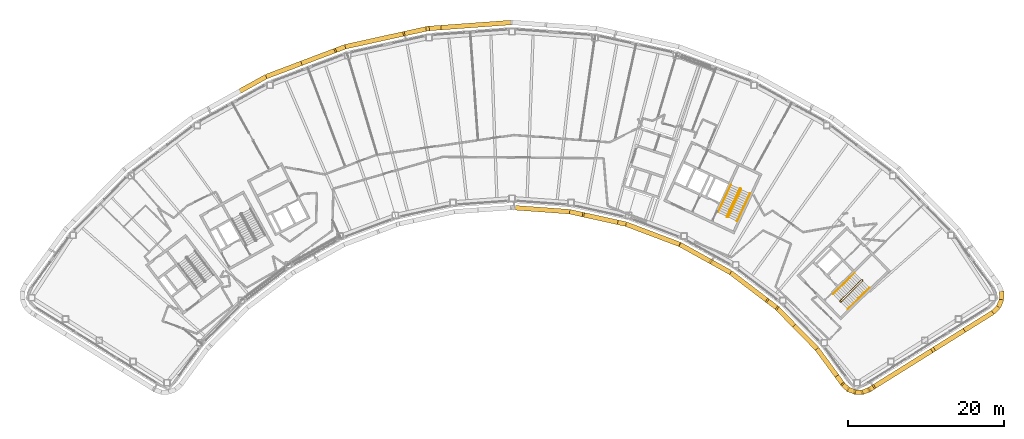
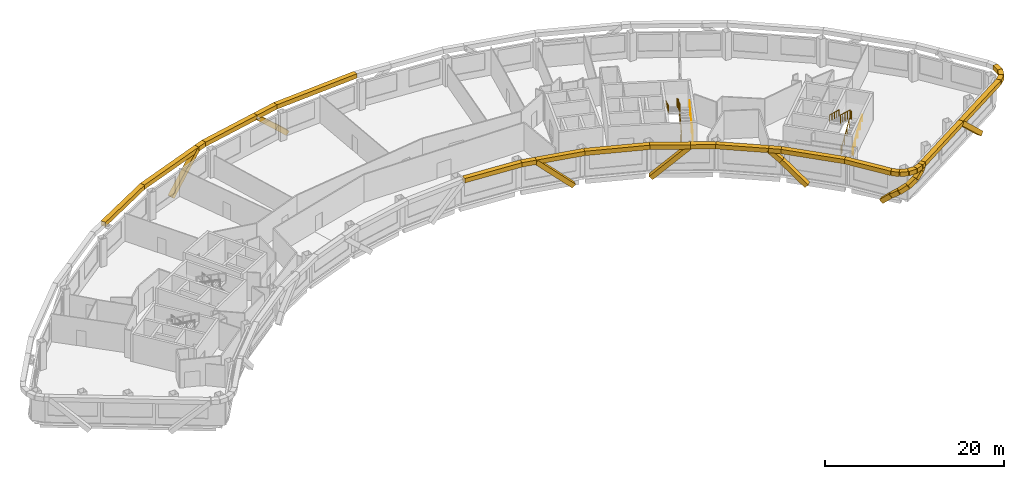
# One storey, part 16 of 18: 40 coverings, 6 railings.
"""IFC4 building model written with IfcOpenShell, lengths in metres."""

import ifcopenshell
import ifcopenshell.guid

model = None  # the IFC model being written
_history = None  # IfcOwnerHistory: only IFC2X3 demands one
_inside = {}  # id of a spatial element -> (the spatial element, [elements in it])
_under = {}  # id of a project, library or spatial element -> (it, [spatial elements below it])
_declared = {}  # id of a project -> (the project, [libraries it declares])
_typed = {}  # id of a type object -> (the type object, [elements of that type])
_made_of = {}  # id of a material, layer set ... -> (it, [elements and type objects made of it])


def new_model(schema):
    """Start an empty IFC model of exactly this schema.

    Asked for "IFC4X3", IfcOpenShell would pick the latest addendum, in which some entities
    have other attributes; the version numbers below select the first issue.
    IFC2X3 requires an IfcOwnerHistory on every rooted entity: one is made here for all.
    """
    global model, _history
    if schema == "IFC4X3":
        model = ifcopenshell.file(schema_version=(4, 3, 0, 0))
    else:
        model = ifcopenshell.file(schema=schema)
    _inside.clear()
    _under.clear()
    _declared.clear()
    _typed.clear()
    _made_of.clear()
    _history = None
    if model.schema == "IFC2X3":
        org = make("IfcOrganization", Name="unknown")
        user = make(
            "IfcPersonAndOrganization",
            ThePerson=make("IfcPerson", FamilyName="unknown"),
            TheOrganization=org,
        )
        app = make(
            "IfcApplication",
            ApplicationDeveloper=org,
            Version="unknown",
            ApplicationFullName="unknown",
            ApplicationIdentifier="unknown",
        )
        _history = make(
            "IfcOwnerHistory",
            OwningUser=user,
            OwningApplication=app,
            ChangeAction="ADDED",
            CreationDate=0,
        )
    return model


def make(cls, **values):
    """One entity of the class cls with the attributes given. An attribute that is None is left unset."""
    return model.create_entity(
        cls, **{name: value for name, value in values.items() if value is not None}
    )


def rooted(cls, **values):
    """An entity with a GlobalId (a new one), such as an element, a storey or a relation."""
    return make(cls, GlobalId=ifcopenshell.guid.new(), OwnerHistory=_history, **values)


def si_unit(unit_type, name, prefix=None):
    """IfcSIUnit, for example si_unit("LENGTHUNIT", "METRE", prefix="MILLI")."""
    return make("IfcSIUnit", UnitType=unit_type, Prefix=prefix, Name=name)


def assignment(units):
    """IfcUnitAssignment: the units of a project."""
    return None if units is None else make("IfcUnitAssignment", Units=units)


def point(xyz):
    """IfcCartesianPoint."""
    return None if xyz is None else make("IfcCartesianPoint", Coordinates=xyz)


def direction(xyz):
    """IfcDirection."""
    return None if xyz is None else make("IfcDirection", DirectionRatios=xyz)


def frame(location, z_axis=None, x_axis=None):
    """IfcAxis2Placement3D, a coordinate frame: its origin and axes. An axis left out is left unset."""
    return make(
        "IfcAxis2Placement3D",
        Location=point(location),
        Axis=direction(z_axis),
        RefDirection=direction(x_axis),
    )


def frame_2d(location, x_axis=None):
    """IfcAxis2Placement2D, a coordinate frame in the plane: its origin and x axis."""
    return make(
        "IfcAxis2Placement2D", Location=point(location), RefDirection=direction(x_axis)
    )


def origin():
    """The frame at (0, 0, 0) with its axes left unset."""
    return frame((0.0, 0.0, 0.0))


def origin_2d():
    """The frame at (0, 0) in the plane with its x axis left unset."""
    return frame_2d((0.0, 0.0))


def place(relative_to, where):
    """IfcLocalPlacement: puts the frame where relative to a parent placement (None: the world)."""
    return make(
        "IfcLocalPlacement", PlacementRelTo=relative_to, RelativePlacement=where
    )


def context(
    kind, dimensions, precision=None, world=None, true_north=None, identifier=None
):
    """IfcGeometricRepresentationContext, for example the 3D "Model" context."""
    return make(
        "IfcGeometricRepresentationContext",
        ContextIdentifier=identifier,
        ContextType=kind,
        CoordinateSpaceDimension=dimensions,
        Precision=precision,
        WorldCoordinateSystem=world,
        TrueNorth=true_north,
    )


def subcontext(parent, identifier, kind, view, scale=None):
    """IfcGeometricRepresentationSubContext, for example "Body" below "Model"."""
    return make(
        "IfcGeometricRepresentationSubContext",
        ContextIdentifier=identifier,
        ContextType=kind,
        ParentContext=parent,
        TargetScale=scale,
        TargetView=view,
    )


def project(units=None, contexts=None):
    """IfcProject with its units and contexts."""
    return rooted(
        "IfcProject",
        Name="project",
        RepresentationContexts=contexts,
        UnitsInContext=assignment(units),
    )


def spatial(cls, under=None, at=None, **own):
    """A site, building, storey or space (cls), placed at a placement, below another one or the project."""
    s = rooted(cls, ObjectPlacement=at, **own)
    if under is not None:
        _under.setdefault(under.id(), (under, []))[1].append(s)
    return s


def profile(cls, at=None, kind="AREA", **sizes):
    """A parametric profile (cls). Its sizes go by their IFC names, for example OverallWidth=200.0."""
    return make(cls, ProfileType=kind, Position=at, **sizes)


def rectangle(**sizes):
    """IfcRectangleProfileDef."""
    return profile("IfcRectangleProfileDef", **sizes)


def circle(**sizes):
    """IfcCircleProfileDef."""
    return profile("IfcCircleProfileDef", **sizes)


def extrude(swept, where, along, depth):
    """IfcExtrudedAreaSolid: the profile swept, set in the frame where, extruded along a direction by depth."""
    return make(
        "IfcExtrudedAreaSolid",
        SweptArea=swept,
        Position=where,
        ExtrudedDirection=direction(along),
        Depth=depth,
    )


def shape(context_of_items, identifier, shape_type, items):
    """IfcShapeRepresentation: the items that make up one representation, for example the "Body"."""
    return make(
        "IfcShapeRepresentation",
        ContextOfItems=context_of_items,
        RepresentationIdentifier=identifier,
        RepresentationType=shape_type,
        Items=items,
    )


def material(Name=None, Category=None):
    """IfcMaterial."""
    return make("IfcMaterial", Name=Name, Category=Category)


def material_profile(
    of_material, cross_section, Name=None, Category=None, Priority=None
):
    """IfcMaterialProfile: a cross section and its material."""
    return make(
        "IfcMaterialProfile",
        Name=Name,
        Material=of_material,
        Profile=cross_section,
        Priority=Priority,
        Category=Category,
    )


def profile_set(profiles, Name=None, composite=None):
    """IfcMaterialProfileSet."""
    return make(
        "IfcMaterialProfileSet",
        Name=Name,
        MaterialProfiles=profiles,
        CompositeProfile=composite,
    )


def made_of(thing, what):
    """Note that an element or type object is made of a material, layer set ...; save() writes the relation."""
    if what is not None:
        _made_of.setdefault(what.id(), (what, []))[1].append(thing)
    return thing


def type_object(cls, material=None, **own):
    """A type object (cls), such as IfcWallType, which elements share."""
    return made_of(rooted(cls, **own), material)


def element(
    cls,
    number,
    at=None,
    inside=None,
    cuts=None,
    type_object=None,
    material=None,
    context=None,
    identifier="Body",
    shape_type=None,
    held_by="IfcProductDefinitionShape",
    body=None,
    shapes=None,
    **own,
):
    """One element of the class cls, such as IfcWall. Its Tag is "e" and its number.

    at: its placement. inside: the storey or other place that contains it. cuts: it is an
    opening in that element (IfcRelVoidsElement). A single representation is given by context,
    identifier, shape_type and body (its items); several are given by shapes. held_by: the class
    of the entity that holds the representations. save() writes the other relations.
    """
    e = rooted(cls, Tag="e%d" % number, ObjectPlacement=at, **own)
    if body is not None:
        shapes = [shape(context, identifier, shape_type, body)]
    if shapes is not None:
        e.Representation = make(held_by, Representations=shapes)
    if inside is not None:
        _inside.setdefault(inside.id(), (inside, []))[1].append(e)
    if cuts is not None:
        rooted(
            "IfcRelVoidsElement", RelatingBuildingElement=cuts, RelatedOpeningElement=e
        )
    if type_object is not None:
        _typed.setdefault(type_object.id(), (type_object, []))[1].append(e)
    return made_of(e, material)


def aggregate(whole, parts):
    """IfcRelAggregates: a whole, such as a stair, and the parts it consists of."""
    return rooted("IfcRelAggregates", RelatingObject=whole, RelatedObjects=parts)


def save(model, path):
    """Write the relations noted so far, then the file.

    IfcRelAggregates (storeys below a building ...), IfcRelContainedInSpatialStructure (elements
    in a storey), IfcRelDefinesByType, IfcRelAssociatesMaterial and IfcRelDeclares: one each for
    every whole, place, type object, material and project.
    """
    for whole, parts in _under.values():
        aggregate(whole, parts)
    for where, things in _inside.values():
        rooted(
            "IfcRelContainedInSpatialStructure",
            RelatedElements=things,
            RelatingStructure=where,
        )
    for kind, things in _typed.values():
        rooted("IfcRelDefinesByType", RelatedObjects=things, RelatingType=kind)
    for what, things in _made_of.values():
        rooted("IfcRelAssociatesMaterial", RelatedObjects=things, RelatingMaterial=what)
    for by, libraries in _declared.values():
        rooted("IfcRelDeclares", RelatingContext=by, RelatedDefinitions=libraries)
    model.write(path)


model = new_model("IFC4")

# Units and contexts
model_context = context("Model", 3, precision=1e-05, world=origin(), true_north=direction((0.0, 1.0)))
body_context = subcontext(model_context, "Body", "Model", "MODEL_VIEW")
ifc_project = project(units=[si_unit("LENGTHUNIT", "METRE"), si_unit("AREAUNIT", "SQUARE_METRE"), si_unit("VOLUMEUNIT", "CUBIC_METRE"), si_unit("PLANEANGLEUNIT", "RADIAN"), si_unit("MASSUNIT", "GRAM", prefix="KILO")], contexts=[model_context])

# Site, building, storey
site_placement = place(None, origin())
site = spatial("IfcSite", under=ifc_project, at=site_placement, CompositionType="ELEMENT")
building_placement = place(site_placement, origin())
building = spatial("IfcBuilding", under=site, at=building_placement, Name="Tuul Gate Civic Tower", CompositionType="ELEMENT")
storey_placement = place(building_placement, frame((0.0, 0.0, 234.699951171875)))
storey = spatial("IfcBuildingStorey", under=building, at=storey_placement, Name="Level 53", CompositionType="ELEMENT", Elevation=234.699951171875)

# Railings
ifc_material_1 = material(Name="Painted steel", Category="steel")
railing_type_1 = type_object("IfcRailingType", Name="Stair guard", PredefinedType="GUARDRAIL", material=ifc_material_1)
railing_1_placement = place(storey_placement, frame((48.10546875, -16.134765625, 0.0)))
element("IfcRailing", 1, at=railing_1_placement, inside=storey, type_object=railing_type_1, Name="Level 53 ST-3 stair guard 1", PredefinedType="GUARDRAIL", context=body_context, shape_type="SweptSolid", body=[
    extrude(circle(Radius=0.02392578125, at=origin_2d()), frame((0.0, 0.0, 1.076171875), z_axis=(-0.698506948293, 0.715603272202, 0.0), x_axis=(-0.715603272202, -0.698506948293, 0.0)), (0.0, 0.0, 1.0), 0.099853515625),
    extrude(circle(Radius=0.02392578125, at=origin_2d()), frame((-0.06982421875, 0.071533203125, 1.076171875), z_axis=(0.644948864628, -0.331432055434, 0.688617277337), x_axis=(0.457068866502, 0.889431307788, 0.0)), (0.0, 0.0, 1.0), 0.218017578125),
    extrude(circle(Radius=0.02392578125, at=origin_2d()), frame((0.07080078125, -0.000732421875, 1.22607421875), z_axis=(0.638731261263, 0.626133563701, 0.447190268558), x_axis=(-0.700029477518, 0.714113947914, 0.0)), (0.0, 0.0, 1.0), 4.3603515625),
    extrude(circle(Radius=0.02392578125, at=origin_2d()), frame((2.85595703125, 2.7294921875, 3.17626953125), z_axis=(0.010380063588, 0.999946125689, 0.0), x_axis=(-0.999946125689, 0.010380063588, 0.0)), (0.0, 0.0, 1.0), 0.070556640625),
    extrude(circle(Radius=0.02392578125, at=origin_2d()), frame((2.856689453125, 2.800048828125, 3.17626953125), z_axis=(-0.699754442181, 0.714383454909, 0.0), x_axis=(-0.714383454909, -0.699754442181, 0.0)), (0.0, 0.0, 1.0), 0.10009765625),
    extrude(circle(Radius=0.02392578125, at=origin_2d()), frame((2.78662109375, 2.87158203125, 3.17626953125), z_axis=(-0.427069033481, 0.004417955519, 0.904208229508), x_axis=(-0.010344274102, -0.999946496565, 0.0)), (0.0, 0.0, 1.0), 0.165771484375),
    extrude(circle(Radius=0.02392578125, at=origin_2d()), frame((2.7158203125, 2.872314453125, 3.326171875), z_axis=(-0.638731261263, -0.626133563701, 0.447190268558), x_axis=(0.700029477518, -0.714113947914, 0.0)), (0.0, 0.0, 1.0), 4.3603515625),
    extrude(circle(Radius=0.02099609375, at=origin_2d()), origin(), (0.0, 0.0, 1.0), 1.052001953125),
    extrude(circle(Radius=0.02099609375, at=origin_2d()), frame((-0.06982421875, 0.071533203125, 0.0)), (0.0, 0.0, 1.0), 1.052001953125),
    extrude(circle(Radius=0.02099609375, at=origin_2d()), frame((0.07080078125, -0.000732421875, 0.150146484375)), (0.0, 0.0, 1.0), 1.052001953125),
    extrude(circle(Radius=0.02099609375, at=origin_2d()), frame((0.76708984375, 0.681884765625, 0.6376953125)), (0.0, 0.0, 1.0), 1.052001953125),
    extrude(circle(Radius=0.02099609375, at=origin_2d()), frame((1.46337890625, 1.3642578125, 1.125)), (0.0, 0.0, 1.0), 1.052001953125),
    extrude(circle(Radius=0.02099609375, at=origin_2d()), frame((2.15966796875, 2.046875, 1.612548828125)), (0.0, 0.0, 1.0), 1.052001953125),
    extrude(circle(Radius=0.02099609375, at=origin_2d()), frame((2.85595703125, 2.7294921875, 2.10009765625)), (0.0, 0.0, 1.0), 1.052001953125),
    extrude(circle(Radius=0.02099609375, at=origin_2d()), frame((2.856689453125, 2.800048828125, 2.10009765625)), (0.0, 0.0, 1.0), 1.052001953125),
    extrude(circle(Radius=0.02099609375, at=origin_2d()), frame((2.78662109375, 2.87158203125, 2.10009765625)), (0.0, 0.0, 1.0), 1.052001953125),
    extrude(circle(Radius=0.02099609375, at=origin_2d()), frame((2.7158203125, 2.872314453125, 2.25)), (0.0, 0.0, 1.0), 1.052001953125),
    extrude(circle(Radius=0.02099609375, at=origin_2d()), frame((2.01953125, 2.189697265625, 2.737548828125)), (0.0, 0.0, 1.0), 1.052001953125),
    extrude(circle(Radius=0.02099609375, at=origin_2d()), frame((1.3232421875, 1.50732421875, 3.22509765625)), (0.0, 0.0, 1.0), 1.052001953125),
    extrude(circle(Radius=0.02099609375, at=origin_2d()), frame((0.626953125, 0.82470703125, 3.71240234375)), (0.0, 0.0, 1.0), 1.052001953125),
    extrude(circle(Radius=0.02099609375, at=origin_2d()), frame((-0.0693359375, 0.14208984375, 4.199951171875)), (0.0, 0.0, 1.0), 1.052001953125),
])
railing_2_placement = place(storey_placement, frame((33.645751953125, -5.238525390625, 0.0)))
element("IfcRailing", 2, at=railing_2_placement, inside=storey, type_object=railing_type_1, Name="Level 53 ST-4 stair guard 1", PredefinedType="GUARDRAIL", context=body_context, shape_type="SweptSolid", body=[
    extrude(circle(Radius=0.02392578125, at=origin_2d()), frame((0.0, 0.0, 1.076171875), z_axis=(-0.906307919131, 0.422617978463, 0.0), x_axis=(-0.422617978463, -0.906307919131, 0.0)), (0.0, 0.0, 1.0), 0.099853515625),
    extrude(circle(Radius=0.02392578125, at=origin_2d()), frame((-0.090576171875, 0.042236328125, 1.076171875), z_axis=(0.720179819621, -0.082882280952, 0.688818956559), x_axis=(0.114330889033, 0.993442724979, 0.0)), (0.0, 0.0, 1.0), 0.218017578125),
    extrude(circle(Radius=0.02392578125, at=origin_2d()), frame((0.06640625, 0.024169921875, 1.22607421875), z_axis=(0.377946903738, 0.810654114417, 0.447209173356), x_axis=(-0.906336612539, 0.422556439746, 0.0)), (0.0, 0.0, 1.0), 4.3603515625),
    extrude(circle(Radius=0.02392578125, at=origin_2d()), frame((1.71435546875, 3.558837890625, 3.17626953125), z_axis=(-0.342020437038, 0.939692513883, 0.0), x_axis=(-0.939692513883, -0.342020437038, 0.0)), (0.0, 0.0, 1.0), 0.070556640625),
    extrude(circle(Radius=0.02392578125, at=origin_2d()), frame((1.690185546875, 3.625244140625, 3.17626953125), z_axis=(-0.906307919131, 0.422617978463, 0.0), x_axis=(-0.422617978463, -0.906307919131, 0.0)), (0.0, 0.0, 1.0), 0.099853515625),
    extrude(circle(Radius=0.02392578125, at=origin_2d()), frame((1.599609375, 3.66748046875, 3.17626953125), z_axis=(-0.40070210376, -0.145843780413, 0.904526072458), x_axis=(0.342020437038, -0.939692513883, 0.0)), (0.0, 0.0, 1.0), 0.165771484375),
    extrude(circle(Radius=0.02392578125, at=origin_2d()), frame((1.533203125, 3.643310546875, 3.326171875), z_axis=(-0.377946903738, -0.810654114417, 0.447209173356), x_axis=(0.906336612539, -0.422556439746, 0.0)), (0.0, 0.0, 1.0), 4.3603515625),
    extrude(circle(Radius=0.02099609375, at=origin_2d()), origin(), (0.0, 0.0, 1.0), 1.052001953125),
    extrude(circle(Radius=0.02099609375, at=origin_2d()), frame((-0.090576171875, 0.042236328125, 0.0)), (0.0, 0.0, 1.0), 1.052001953125),
    extrude(circle(Radius=0.02099609375, at=origin_2d()), frame((0.06640625, 0.024169921875, 0.150146484375)), (0.0, 0.0, 1.0), 1.052001953125),
    extrude(circle(Radius=0.02099609375, at=origin_2d()), frame((0.478515625, 0.90771484375, 0.6376953125)), (0.0, 0.0, 1.0), 1.052001953125),
    extrude(circle(Radius=0.02099609375, at=origin_2d()), frame((0.890380859375, 1.79150390625, 1.125)), (0.0, 0.0, 1.0), 1.052001953125),
    extrude(circle(Radius=0.02099609375, at=origin_2d()), frame((1.30224609375, 2.67529296875, 1.612548828125)), (0.0, 0.0, 1.0), 1.052001953125),
    extrude(circle(Radius=0.02099609375, at=origin_2d()), frame((1.71435546875, 3.558837890625, 2.10009765625)), (0.0, 0.0, 1.0), 1.052001953125),
    extrude(circle(Radius=0.02099609375, at=origin_2d()), frame((1.690185546875, 3.625244140625, 2.10009765625)), (0.0, 0.0, 1.0), 1.052001953125),
    extrude(circle(Radius=0.02099609375, at=origin_2d()), frame((1.599609375, 3.66748046875, 2.10009765625)), (0.0, 0.0, 1.0), 1.052001953125),
    extrude(circle(Radius=0.02099609375, at=origin_2d()), frame((1.533203125, 3.643310546875, 2.25)), (0.0, 0.0, 1.0), 1.052001953125),
    extrude(circle(Radius=0.02099609375, at=origin_2d()), frame((1.12109375, 2.759765625, 2.737548828125)), (0.0, 0.0, 1.0), 1.052001953125),
    extrude(circle(Radius=0.02099609375, at=origin_2d()), frame((0.709228515625, 1.8759765625, 3.22509765625)), (0.0, 0.0, 1.0), 1.052001953125),
    extrude(circle(Radius=0.02099609375, at=origin_2d()), frame((0.29736328125, 0.9921875, 3.71240234375)), (0.0, 0.0, 1.0), 1.052001953125),
    extrude(circle(Radius=0.02099609375, at=origin_2d()), frame((-0.11474609375, 0.108642578125, 4.199951171875)), (0.0, 0.0, 1.0), 1.052001953125),
])
ifc_material_2 = material(Name="Painted steel", Category="steel")
railing_type_2 = type_object("IfcRailingType", Name="Stair handrail", PredefinedType="HANDRAIL", material=ifc_material_2)
railing_3_placement = place(storey_placement, frame((49.05126953125, -17.028076171875, 0.150146484375)))
element("IfcRailing", 3, at=railing_3_placement, inside=storey, type_object=railing_type_2, Name="Level 53 ST-3 stair handrail 1", PredefinedType="HANDRAIL", context=body_context, shape_type="SweptSolid", body=[
    extrude(circle(Radius=0.02392578125, at=origin_2d()), frame((0.0, 0.0, 0.8759765625), z_axis=(0.638753653487, 0.626099522554, 0.447205945863), x_axis=(-0.699997553204, 0.714145241186, 0.0)), (0.0, 0.0, 1.0), 4.3603515625),
    extrude(circle(Radius=0.02099609375, at=origin_2d()), origin(), (0.0, 0.0, 1.0), 0.851806640625),
    extrude(circle(Radius=0.02099609375, at=origin_2d()), frame((0.6962890625, 0.6826171875, 0.487548828125)), (0.0, 0.0, 1.0), 0.851806640625),
    extrude(circle(Radius=0.02099609375, at=origin_2d()), frame((1.392578125, 1.364990234375, 0.97509765625)), (0.0, 0.0, 1.0), 0.851806640625),
    extrude(circle(Radius=0.02099609375, at=origin_2d()), frame((2.0888671875, 2.04736328125, 1.46240234375)), (0.0, 0.0, 1.0), 0.851806640625),
    extrude(circle(Radius=0.02099609375, at=origin_2d()), frame((2.78515625, 2.72998046875, 1.949951171875)), (0.0, 0.0, 1.0), 0.851806640625),
])
railing_4_placement = place(storey_placement, frame((49.9462890625, -12.369873046875, 2.25)))
element("IfcRailing", 4, at=railing_4_placement, inside=storey, type_object=railing_type_2, Name="Level 53 ST-3 stair handrail 2", PredefinedType="HANDRAIL", context=body_context, shape_type="SweptSolid", body=[
    extrude(circle(Radius=0.02392578125, at=origin_2d()), frame((0.0, 0.0, 0.8759765625), z_axis=(-0.638753653487, -0.626099522554, 0.447205945863), x_axis=(0.699997553204, -0.714145241186, 0.0)), (0.0, 0.0, 1.0), 4.3603515625),
    extrude(circle(Radius=0.02099609375, at=origin_2d()), origin(), (0.0, 0.0, 1.0), 0.851806640625),
    extrude(circle(Radius=0.02099609375, at=origin_2d()), frame((-0.6962890625, -0.6826171875, 0.487548828125)), (0.0, 0.0, 1.0), 0.851806640625),
    extrude(circle(Radius=0.02099609375, at=origin_2d()), frame((-1.392578125, -1.364990234375, 0.97509765625)), (0.0, 0.0, 1.0), 0.851806640625),
    extrude(circle(Radius=0.02099609375, at=origin_2d()), frame((-2.0888671875, -2.04736328125, 1.46240234375)), (0.0, 0.0, 1.0), 0.851806640625),
    extrude(circle(Radius=0.02099609375, at=origin_2d()), frame((-2.78515625, -2.72998046875, 1.949951171875)), (0.0, 0.0, 1.0), 0.851806640625),
])
railing_5_placement = place(storey_placement, frame((34.844970703125, -5.74267578125, 0.150146484375)))
element("IfcRailing", 5, at=railing_5_placement, inside=storey, type_object=railing_type_2, Name="Level 53 ST-4 stair handrail 1", PredefinedType="HANDRAIL", context=body_context, shape_type="SweptSolid", body=[
    extrude(circle(Radius=0.02392578125, at=origin_2d()), frame((0.0, 0.0, 0.8759765625), z_axis=(0.377994896215, 0.810636958585, 0.447199709091), x_axis=(-0.906312636903, 0.422607861012, 0.0)), (0.0, 0.0, 1.0), 4.3603515625),
    extrude(circle(Radius=0.02099609375, at=origin_2d()), origin(), (0.0, 0.0, 1.0), 0.851806640625),
    extrude(circle(Radius=0.02099609375, at=origin_2d()), frame((0.412109375, 0.8837890625, 0.487548828125)), (0.0, 0.0, 1.0), 0.851806640625),
    extrude(circle(Radius=0.02099609375, at=origin_2d()), frame((0.82421875, 1.767333984375, 0.97509765625)), (0.0, 0.0, 1.0), 0.851806640625),
    extrude(circle(Radius=0.02099609375, at=origin_2d()), frame((1.236083984375, 2.65087890625, 1.46240234375)), (0.0, 0.0, 1.0), 0.851806640625),
    extrude(circle(Radius=0.02099609375, at=origin_2d()), frame((1.648193359375, 3.53466796875, 1.949951171875)), (0.0, 0.0, 1.0), 0.851806640625),
])
railing_6_placement = place(storey_placement, frame((34.046142578125, -1.06689453125, 2.25)))
element("IfcRailing", 6, at=railing_6_placement, inside=storey, type_object=railing_type_2, Name="Level 53 ST-4 stair handrail 2", PredefinedType="HANDRAIL", context=body_context, shape_type="SweptSolid", body=[
    extrude(circle(Radius=0.02392578125, at=origin_2d()), frame((0.0, 0.0, 0.8759765625), z_axis=(-0.377994896215, -0.810636958585, 0.447199709091), x_axis=(0.906312636903, -0.422607861012, 0.0)), (0.0, 0.0, 1.0), 4.3603515625),
    extrude(circle(Radius=0.02099609375, at=origin_2d()), origin(), (0.0, 0.0, 1.0), 0.851806640625),
    extrude(circle(Radius=0.02099609375, at=origin_2d()), frame((-0.412109375, -0.8837890625, 0.487548828125)), (0.0, 0.0, 1.0), 0.851806640625),
    extrude(circle(Radius=0.02099609375, at=origin_2d()), frame((-0.82421875, -1.767333984375, 0.97509765625)), (0.0, 0.0, 1.0), 0.851806640625),
    extrude(circle(Radius=0.02099609375, at=origin_2d()), frame((-1.236083984375, -2.65087890625, 1.46240234375)), (0.0, 0.0, 1.0), 0.851806640625),
    extrude(circle(Radius=0.02099609375, at=origin_2d()), frame((-1.648193359375, -3.53466796875, 1.949951171875)), (0.0, 0.0, 1.0), 0.851806640625),
])

# Coverings
ifc_material_3 = material(Name="Terracotta baguette", Category="masonry")
ifc_material_profile = material_profile(ifc_material_3, rectangle(XDim=0.60009765625, YDim=0.60009765625, at=origin_2d()), Name="Terracotta baguette screen frame")
ifc_profile_set = profile_set([ifc_material_profile], Name="Terracotta baguette")
covering_type = type_object("IfcCoveringType", Name="Terracotta baguette screen frame", PredefinedType="CLADDING", material=ifc_profile_set)
covering_1_placement = place(storey_placement, frame((63.840087890625, -19.85986328125, -0.349853515625), z_axis=(-0.621667939257, -0.388428788098, 0.680185305543), x_axis=(0.529887423043, -0.848067991909, 0.0)))
element("IfcCovering", 7, at=covering_1_placement, inside=storey, type_object=covering_type, Name="Baguette 10", PredefinedType="CLADDING", context=body_context, shape_type="SweptSolid", body=[
    extrude(rectangle(XDim=0.60009765625, YDim=0.60009765625, at=origin_2d()), origin(), (0.0, 0.0, 1.0), 6.1748046875),
])
covering_2_placement = place(storey_placement, frame((-3.377197265625, 19.09326171875, -0.349853515625), z_axis=(-0.73184271994, -0.053028642537, 0.679407238952), x_axis=(0.072269598768, -0.997385133784, 0.0)))
element("IfcCovering", 8, at=covering_2_placement, inside=storey, type_object=covering_type, Name="Baguette 85", PredefinedType="CLADDING", context=body_context, shape_type="SweptSolid", body=[
    extrude(rectangle(XDim=0.60009765625, YDim=0.60009765625, at=origin_2d()), origin(), (0.0, 0.0, 1.0), 2.057861328125),
])
covering_3_placement = place(storey_placement, frame((-4.88330078125, 18.984130859375, 1.04833984375), z_axis=(-0.716601166005, -0.157942330516, 0.679365136809), x_axis=(0.215238820918, -0.976561441984, 0.0)))
element("IfcCovering", 9, at=covering_3_placement, inside=storey, type_object=covering_type, Name="Baguette 86", PredefinedType="CLADDING", context=body_context, shape_type="SweptSolid", body=[
    extrude(rectangle(XDim=0.60009765625, YDim=0.60009765625, at=origin_2d()), origin(), (0.0, 0.0, 1.0), 4.1240234375),
])
covering_4_placement = place(storey_placement, frame((-7.838623046875, 18.332763671875, 3.85009765625), z_axis=(-0.976567280612, -0.215212328733, 0.0), x_axis=(0.215212328733, -0.976567280612, 0.0)))
element("IfcCovering", 10, at=covering_4_placement, inside=storey, type_object=covering_type, Name="Baguette 91", PredefinedType="CLADDING", context=body_context, shape_type="SweptSolid", body=[
    extrude(rectangle(XDim=0.60009765625, YDim=0.60009765625, at=origin_2d()), origin(), (0.0, 0.0, 1.0), 7.8251953125),
])
covering_5_placement = place(storey_placement, frame((-15.48046875, 16.648681640625, 3.85009765625), z_axis=(-0.935408794723, -0.353568079378, 0.0), x_axis=(0.353568079378, -0.935408794723, 0.0)))
element("IfcCovering", 11, at=covering_5_placement, inside=storey, type_object=covering_type, Name="Baguette 92", PredefinedType="CLADDING", context=body_context, shape_type="SweptSolid", body=[
    extrude(rectangle(XDim=0.60009765625, YDim=0.60009765625, at=origin_2d()), origin(), (0.0, 0.0, 1.0), 1.2470703125),
])
covering_6_placement = place(storey_placement, frame((-16.64697265625, 16.207763671875, 3.85009765625), z_axis=(-0.686348451438, -0.259508353438, -0.679397687444), x_axis=(0.353664314999, -0.935372413692, 0.0)))
element("IfcCovering", 12, at=covering_6_placement, inside=storey, type_object=covering_type, Name="Baguette 94", PredefinedType="CLADDING", context=body_context, shape_type="SweptSolid", body=[
    extrude(rectangle(XDim=0.60009765625, YDim=0.60009765625, at=origin_2d()), origin(), (0.0, 0.0, 1.0), 6.181884765625),
])
covering_7_placement = place(storey_placement, frame((6.20166015625, -4.012939453125, 3.85009765625), z_axis=(0.997395442814, -0.072127183871, 0.0), x_axis=(0.072127183871, 0.997395442814, 0.0)))
element("IfcCovering", 13, at=covering_7_placement, inside=storey, type_object=covering_type, Name="Baguette 224", PredefinedType="CLADDING", context=body_context, shape_type="SweptSolid", body=[
    extrude(rectangle(XDim=0.60009765625, YDim=0.60009765625, at=origin_2d()), origin(), (0.0, 0.0, 1.0), 7.155517578125),
])
covering_8_placement = place(storey_placement, frame((13.338623046875, -4.529052734375, 3.85009765625), z_axis=(0.976544694518, -0.215314791894, 0.0), x_axis=(0.215314791894, 0.976544694518, 0.0)))
element("IfcCovering", 14, at=covering_8_placement, inside=storey, type_object=covering_type, Name="Baguette 225", PredefinedType="CLADDING", context=body_context, shape_type="SweptSolid", body=[
    extrude(rectangle(XDim=0.60009765625, YDim=0.60009765625, at=origin_2d()), origin(), (0.0, 0.0, 1.0), 1.6962890625),
])
for number, where, z_axis, x_axis, name in (
    (15, (14.9951171875, -4.894287109375, 3.85009765625), (0.708386476758, -0.156129915969, -0.688340067762), (0.215236378617, 0.976561980276, 0.0), "Baguette 227"),
    (16, (27.64208984375, -8.81640625, -0.349853515625), (0.634441801844, -0.351671859007, 0.688338945328), (0.484804374507, 0.87462261488, 0.0), "Baguette 239"),
):
    element("IfcCovering", number, at=place(storey_placement, frame(where, z_axis=z_axis, x_axis=x_axis)), inside=storey, type_object=covering_type, Name=name, PredefinedType="CLADDING", context=body_context, shape_type="SweptSolid", body=[
        extrude(rectangle(XDim=0.60009765625, YDim=0.60009765625, at=origin_2d()), origin(), (0.0, 0.0, 1.0), 6.1015625),
    ])
covering_9_placement = place(storey_placement, frame((31.51318359375, -10.962158203125, 3.85009765625), z_axis=(0.87458876364, -0.484865439596, 0.0), x_axis=(0.484865439596, 0.87458876364, 0.0)))
element("IfcCovering", 17, at=covering_9_placement, inside=storey, type_object=covering_type, Name="Baguette 244", PredefinedType="CLADDING", context=body_context, shape_type="SweptSolid", body=[
    extrude(rectangle(XDim=0.60009765625, YDim=0.60009765625, at=origin_2d()), origin(), (0.0, 0.0, 1.0), 2.853515625),
])
covering_10_placement = place(storey_placement, frame((34.0087890625, -12.345703125, 3.85009765625), z_axis=(0.795587724937, -0.605838404138, 0.0), x_axis=(0.605838404138, 0.795587724937, 0.0)))
element("IfcCovering", 18, at=covering_10_placement, inside=storey, type_object=covering_type, Name="Baguette 245", PredefinedType="CLADDING", context=body_context, shape_type="SweptSolid", body=[
    extrude(rectangle(XDim=0.60009765625, YDim=0.60009765625, at=origin_2d()), origin(), (0.0, 0.0, 1.0), 5.998291015625),
])
covering_11_placement = place(storey_placement, frame((38.781005859375, -15.979736328125, 3.85009765625), z_axis=(0.577080213229, -0.439484131259, -0.688354651231), x_axis=(0.605872211995, 0.79556197919, 0.0)))
element("IfcCovering", 19, at=covering_11_placement, inside=storey, type_object=covering_type, Name="Baguette 248", PredefinedType="CLADDING", context=body_context, shape_type="SweptSolid", body=[
    extrude(rectangle(XDim=0.60009765625, YDim=0.60009765625, at=origin_2d()), origin(), (0.0, 0.0, 1.0), 1.95703125),
])
covering_12_placement = place(storey_placement, frame((39.910400390625, -16.83984375, 2.5029296875), z_axis=(0.507781423067, -0.518031303301, -0.688332474309), x_axis=(0.714136515661, 0.700006454969, 0.0)))
element("IfcCovering", 20, at=covering_12_placement, inside=storey, type_object=covering_type, Name="Baguette 249", PredefinedType="CLADDING", context=body_context, shape_type="SweptSolid", body=[
    extrude(rectangle(XDim=0.60009765625, YDim=0.60009765625, at=origin_2d()), origin(), (0.0, 0.0, 1.0), 4.14453125),
])
covering_13_placement = place(storey_placement, frame((47.767822265625, -25.785888671875, -0.349853515625), z_axis=(0.431329063839, -0.590639044704, 0.681982959874), x_axis=(0.807581128041, 0.589756493505, 0.0)))
element("IfcCovering", 21, at=covering_13_placement, inside=storey, type_object=covering_type, Name="Baguette 276", PredefinedType="CLADDING", context=body_context, shape_type="SweptSolid", body=[
    extrude(rectangle(XDim=0.60009765625, YDim=0.60009765625, at=origin_2d()), origin(), (0.0, 0.0, 1.0), 1.576904296875),
])
covering_14_placement = place(storey_placement, frame((48.447998046875, -26.71728515625, 0.7255859375), z_axis=(0.59387924898, -0.556211091867, 0.581323196609), x_axis=(0.683580829185, 0.729874818013, 0.0)))
element("IfcCovering", 22, at=covering_14_placement, inside=storey, type_object=covering_type, Name="Baguette 277", PredefinedType="CLADDING", context=body_context, shape_type="SweptSolid", body=[
    extrude(rectangle(XDim=0.60009765625, YDim=0.60009765625, at=origin_2d()), origin(), (0.0, 0.0, 1.0), 1.1083984375),
])
covering_15_placement = place(storey_placement, frame((49.106201171875, -27.333740234375, 1.369873046875), z_axis=(0.775045343737, -0.307590889658, 0.551989637359), x_axis=(0.368879932634, 0.929477054746, 0.0)))
element("IfcCovering", 23, at=covering_15_placement, inside=storey, type_object=covering_type, Name="Baguette 278", PredefinedType="CLADDING", context=body_context, shape_type="SweptSolid", body=[
    extrude(rectangle(XDim=0.60009765625, YDim=0.60009765625, at=origin_2d()), origin(), (0.0, 0.0, 1.0), 1.166748046875),
])
covering_16_placement = place(storey_placement, frame((50.010498046875, -27.692626953125, 2.013916015625), z_axis=(0.833781357857, -0.002300374953, 0.552089988648), x_axis=(0.002758956141, 0.999996194073, 0.0)))
element("IfcCovering", 24, at=covering_16_placement, inside=storey, type_object=covering_type, Name="Baguette 279", PredefinedType="CLADDING", context=body_context, shape_type="SweptSolid", body=[
    extrude(rectangle(XDim=0.60009765625, YDim=0.60009765625, at=origin_2d()), origin(), (0.0, 0.0, 1.0), 1.16748046875),
])
covering_17_placement = place(storey_placement, frame((50.98388671875, -27.6953125, 2.658447265625), z_axis=(0.758091085088, 0.295082547364, 0.581570457426), x_axis=(-0.362733847194, 0.93189278144, 0.0)))
element("IfcCovering", 25, at=covering_17_placement, inside=storey, type_object=covering_type, Name="Baguette 280", PredefinedType="CLADDING", context=body_context, shape_type="SweptSolid", body=[
    extrude(rectangle(XDim=0.60009765625, YDim=0.60009765625, at=origin_2d()), origin(), (0.0, 0.0, 1.0), 1.10791015625),
])
covering_18_placement = place(storey_placement, frame((51.82373046875, -27.368408203125, 3.302734375), z_axis=(0.621596537853, 0.388611598335, 0.680146138539), x_axis=(-0.530110528821, 0.847928550783, 0.0)))
element("IfcCovering", 26, at=covering_18_placement, inside=storey, type_object=covering_type, Name="Baguette 281", PredefinedType="CLADDING", context=body_context, shape_type="SweptSolid", body=[
    extrude(rectangle(XDim=0.60009765625, YDim=0.60009765625, at=origin_2d()), origin(), (0.0, 0.0, 1.0), 0.8046875),
])
covering_19_placement = place(storey_placement, frame((52.323974609375, -27.0556640625, 3.85009765625), z_axis=(0.848051326016, 0.529914095342, 0.0), x_axis=(-0.529914095342, 0.848051326016, 0.0)))
element("IfcCovering", 27, at=covering_19_placement, inside=storey, type_object=covering_type, Name="Baguette 284", PredefinedType="CLADDING", context=body_context, shape_type="SweptSolid", body=[
    extrude(rectangle(XDim=0.60009765625, YDim=0.60009765625, at=origin_2d()), origin(), (0.0, 0.0, 1.0), 9.052978515625),
])
covering_20_placement = place(storey_placement, frame((5.93994140625, 19.76904296875, 3.85009765625), z_axis=(-0.997380681176, -0.072331022511, 0.0), x_axis=(0.072331022511, -0.997380681176, 0.0)))
element("IfcCovering", 28, at=covering_20_placement, inside=storey, type_object=covering_type, Name="Baguette 420", PredefinedType="CLADDING", context=body_context, shape_type="SweptSolid", body=[
    extrude(rectangle(XDim=0.60009765625, YDim=0.60009765625, at=origin_2d()), origin(), (0.0, 0.0, 1.0), 10.8515625),
])
covering_21_placement = place(storey_placement, frame((-4.88330078125, 18.984130859375, 3.85009765625), z_axis=(-0.976561441984, -0.215238820918, 0.0), x_axis=(0.215238820918, -0.976561441984, 0.0)))
element("IfcCovering", 29, at=covering_21_placement, inside=storey, type_object=covering_type, Name="Baguette 421", PredefinedType="CLADDING", context=body_context, shape_type="SweptSolid", body=[
    extrude(rectangle(XDim=0.60009765625, YDim=0.60009765625, at=origin_2d()), origin(), (0.0, 0.0, 1.0), 3.0263671875),
])
covering_22_placement = place(storey_placement, frame((-16.64697265625, 16.207763671875, 3.85009765625), z_axis=(-0.935374009071, -0.353660095507, 0.0), x_axis=(0.353660095507, -0.935374009071, 0.0)))
element("IfcCovering", 30, at=covering_22_placement, inside=storey, type_object=covering_type, Name="Baguette 422", PredefinedType="CLADDING", context=body_context, shape_type="SweptSolid", body=[
    extrude(rectangle(XDim=0.60009765625, YDim=0.60009765625, at=origin_2d()), origin(), (0.0, 0.0, 1.0), 9.603759765625),
])
covering_23_placement = place(storey_placement, frame((-25.630126953125, 12.811279296875, 3.85009765625), z_axis=(-0.874609938288, -0.484827243302, 0.0), x_axis=(0.484827243302, -0.874609938288, 0.0)))
element("IfcCovering", 31, at=covering_23_placement, inside=storey, type_object=covering_type, Name="Baguette 423", PredefinedType="CLADDING", context=body_context, shape_type="SweptSolid", body=[
    extrude(rectangle(XDim=0.60009765625, YDim=0.60009765625, at=origin_2d()), origin(), (0.0, 0.0, 1.0), 8.541015625),
])
covering_24_placement = place(storey_placement, frame((14.9951171875, -4.894287109375, 3.85009765625), z_axis=(0.97656309278, -0.215231330944, 0.0), x_axis=(0.215231330944, 0.97656309278, 0.0)))
element("IfcCovering", 32, at=covering_24_placement, inside=storey, type_object=covering_type, Name="Baguette 435", PredefinedType="CLADDING", context=body_context, shape_type="SweptSolid", body=[
    extrude(rectangle(XDim=0.60009765625, YDim=0.60009765625, at=origin_2d()), origin(), (0.0, 0.0, 1.0), 5.721435546875),
])
covering_25_placement = place(storey_placement, frame((20.58251953125, -6.125732421875, 3.85009765625), z_axis=(0.935368082117, -0.353675770951, 0.0), x_axis=(0.353675770951, 0.935368082117, 0.0)))
element("IfcCovering", 33, at=covering_25_placement, inside=storey, type_object=covering_type, Name="Baguette 436", PredefinedType="CLADDING", context=body_context, shape_type="SweptSolid", body=[
    extrude(rectangle(XDim=0.60009765625, YDim=0.60009765625, at=origin_2d()), origin(), (0.0, 0.0, 1.0), 7.41796875),
])
covering_26_placement = place(storey_placement, frame((27.52099609375, -8.749267578125, 3.85009765625), z_axis=(0.874621104425, -0.484807099468, 0.0), x_axis=(0.484807099468, 0.874621104425, 0.0)))
element("IfcCovering", 34, at=covering_26_placement, inside=storey, type_object=covering_type, Name="Baguette 437", PredefinedType="CLADDING", context=body_context, shape_type="SweptSolid", body=[
    extrude(rectangle(XDim=0.60009765625, YDim=0.60009765625, at=origin_2d()), origin(), (0.0, 0.0, 1.0), 4.564453125),
])
covering_27_placement = place(storey_placement, frame((38.781005859375, -15.979736328125, 3.85009765625), z_axis=(0.79556197919, -0.605872211995, 0.0), x_axis=(0.605872211995, 0.79556197919, 0.0)))
element("IfcCovering", 35, at=covering_27_placement, inside=storey, type_object=covering_type, Name="Baguette 438", PredefinedType="CLADDING", context=body_context, shape_type="SweptSolid", body=[
    extrude(rectangle(XDim=0.60009765625, YDim=0.60009765625, at=origin_2d()), origin(), (0.0, 0.0, 1.0), 1.419677734375),
])
covering_28_placement = place(storey_placement, frame((39.910400390625, -16.83984375, 3.85009765625), z_axis=(0.700045416035, -0.714098323404, 0.0), x_axis=(0.714098323404, 0.700045416035, 0.0)))
element("IfcCovering", 36, at=covering_28_placement, inside=storey, type_object=covering_type, Name="Baguette 439", PredefinedType="CLADDING", context=body_context, shape_type="SweptSolid", body=[
    extrude(rectangle(XDim=0.60009765625, YDim=0.60009765625, at=origin_2d()), origin(), (0.0, 0.0, 1.0), 7.418212890625),
])
covering_29_placement = place(storey_placement, frame((45.103515625, -22.13720703125, 3.85009765625), z_axis=(0.589729447422, -0.807600878432, 0.0), x_axis=(0.807600878432, 0.589729447422, 0.0)))
element("IfcCovering", 37, at=covering_29_placement, inside=storey, type_object=covering_type, Name="Baguette 440", PredefinedType="CLADDING", context=body_context, shape_type="SweptSolid", body=[
    extrude(rectangle(XDim=0.60009765625, YDim=0.60009765625, at=origin_2d()), origin(), (0.0, 0.0, 1.0), 5.671142578125),
])
covering_30_placement = place(storey_placement, frame((48.447998046875, -26.71728515625, 3.85009765625), z_axis=(0.729874818013, -0.683580829185, 0.0), x_axis=(0.683580829185, 0.729874818013, 0.0)))
element("IfcCovering", 38, at=covering_30_placement, inside=storey, type_object=covering_type, Name="Baguette 441", PredefinedType="CLADDING", context=body_context, shape_type="SweptSolid", body=[
    extrude(rectangle(XDim=0.60009765625, YDim=0.60009765625, at=origin_2d()), origin(), (0.0, 0.0, 1.0), 0.90185546875),
])
covering_31_placement = place(storey_placement, frame((49.106201171875, -27.333740234375, 3.85009765625), z_axis=(0.929477054746, -0.368879932634, 0.0), x_axis=(0.368879932634, 0.929477054746, 0.0)))
element("IfcCovering", 39, at=covering_31_placement, inside=storey, type_object=covering_type, Name="Baguette 442", PredefinedType="CLADDING", context=body_context, shape_type="SweptSolid", body=[
    extrude(rectangle(XDim=0.60009765625, YDim=0.60009765625, at=origin_2d()), origin(), (0.0, 0.0, 1.0), 0.972900390625),
])
covering_32_placement = place(storey_placement, frame((50.010498046875, -27.692626953125, 3.85009765625), z_axis=(0.999996194073, -0.002758956141, 0.0), x_axis=(0.002758956141, 0.999996194073, 0.0)))
element("IfcCovering", 40, at=covering_32_placement, inside=storey, type_object=covering_type, Name="Baguette 443", PredefinedType="CLADDING", context=body_context, shape_type="SweptSolid", body=[
    extrude(rectangle(XDim=0.60009765625, YDim=0.60009765625, at=origin_2d()), origin(), (0.0, 0.0, 1.0), 0.973388671875),
])
covering_33_placement = place(storey_placement, frame((50.98388671875, -27.6953125, 3.85009765625), z_axis=(0.93189278144, 0.362733847194, 0.0), x_axis=(-0.362733847194, 0.93189278144, 0.0)))
element("IfcCovering", 41, at=covering_33_placement, inside=storey, type_object=covering_type, Name="Baguette 444", PredefinedType="CLADDING", context=body_context, shape_type="SweptSolid", body=[
    extrude(rectangle(XDim=0.60009765625, YDim=0.60009765625, at=origin_2d()), origin(), (0.0, 0.0, 1.0), 0.901123046875),
])
covering_34_placement = place(storey_placement, frame((51.82373046875, -27.368408203125, 3.85009765625), z_axis=(0.847928550783, 0.530110528821, 0.0), x_axis=(-0.530110528821, 0.847928550783, 0.0)))
element("IfcCovering", 42, at=covering_34_placement, inside=storey, type_object=covering_type, Name="Baguette 445", PredefinedType="CLADDING", context=body_context, shape_type="SweptSolid", body=[
    extrude(rectangle(XDim=0.60009765625, YDim=0.60009765625, at=origin_2d()), origin(), (0.0, 0.0, 1.0), 0.58984375),
])
covering_35_placement = place(storey_placement, frame((60.00146484375, -22.25830078125, 3.85009765625), z_axis=(0.848063445072, 0.529894700042, 0.0), x_axis=(-0.529894700042, 0.848063445072, 0.0)))
element("IfcCovering", 43, at=covering_35_placement, inside=storey, type_object=covering_type, Name="Baguette 446", PredefinedType="CLADDING", context=body_context, shape_type="SweptSolid", body=[
    extrude(rectangle(XDim=0.60009765625, YDim=0.60009765625, at=origin_2d()), origin(), (0.0, 0.0, 1.0), 9.052978515625),
])
covering_36_placement = place(storey_placement, frame((67.678955078125, -17.461181640625, 3.85009765625), z_axis=(0.72214250975, 0.691744313755, 0.0), x_axis=(-0.691744313755, 0.72214250975, 0.0)))
element("IfcCovering", 44, at=covering_36_placement, inside=storey, type_object=covering_type, Name="Baguette 447", PredefinedType="CLADDING", context=body_context, shape_type="SweptSolid", body=[
    extrude(rectangle(XDim=0.60009765625, YDim=0.60009765625, at=origin_2d()), origin(), (0.0, 0.0, 1.0), 0.98779296875),
])
covering_37_placement = place(storey_placement, frame((68.392333984375, -16.77783203125, 3.85009765625), z_axis=(0.386870941786, 0.922133870109, 0.0), x_axis=(-0.922133870109, 0.386870941786, 0.0)))
element("IfcCovering", 45, at=covering_37_placement, inside=storey, type_object=covering_type, Name="Baguette 448", PredefinedType="CLADDING", context=body_context, shape_type="SweptSolid", body=[
    extrude(rectangle(XDim=0.60009765625, YDim=0.60009765625, at=origin_2d()), origin(), (0.0, 0.0, 1.0), 1.06787109375),
])
covering_38_placement = place(storey_placement, frame((68.805419921875, -15.793212890625, 3.85009765625), z_axis=(-0.01602358356, 0.999871614143, 0.0), x_axis=(-0.999871614143, -0.01602358356, 0.0)))
element("IfcCovering", 46, at=covering_38_placement, inside=storey, type_object=covering_type, Name="Baguette 449", PredefinedType="CLADDING", context=body_context, shape_type="SweptSolid", body=[
    extrude(rectangle(XDim=0.60009765625, YDim=0.60009765625, at=origin_2d()), origin(), (0.0, 0.0, 1.0), 1.066650390625),
])

save(model, "model.ifc")
